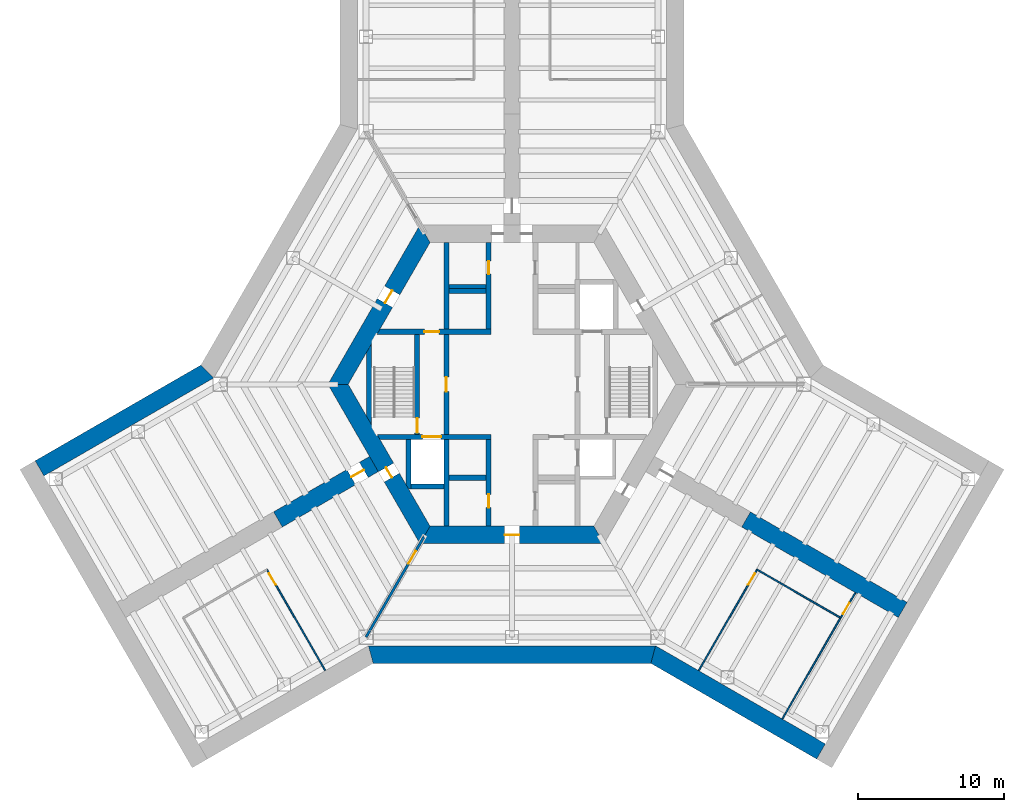
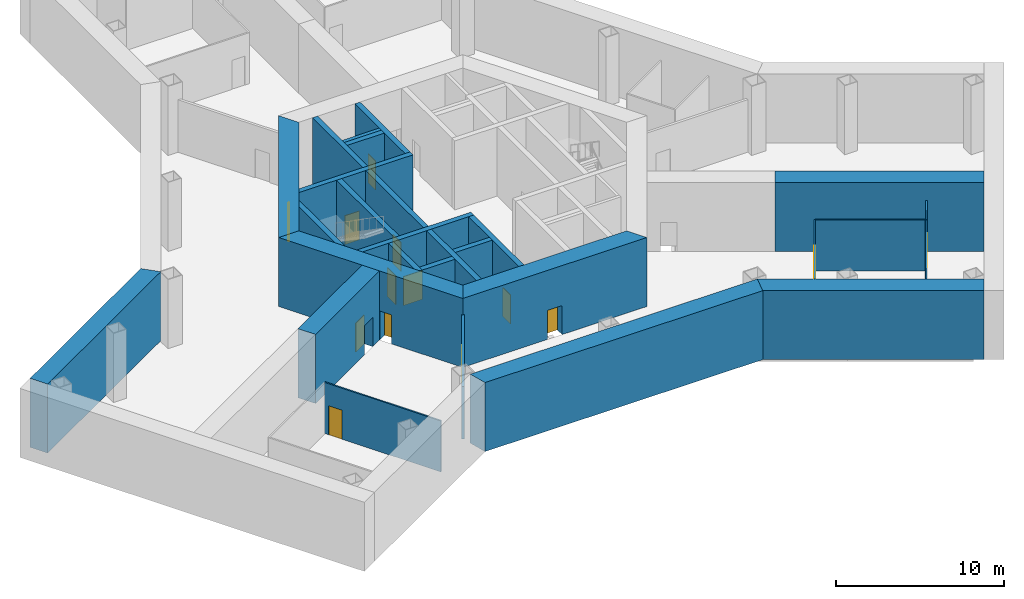
# One storey, part 4 of 7: 28 walls, 14 doors, 14 openings.
"""IFC4 building model written with IfcOpenShell, lengths in metres."""

from ifc_helpers import new_model, si_unit, direction, frame, frame_2d, origin, place, context, subcontext, project, spatial, polyline, rectangle, outline, extrude, material, layer, layer_set, type_object, element, fill, save


model = new_model("IFC4")

# Units and contexts
model_context = context("Model", 3, precision=1e-05, world=origin(), true_north=direction((0.0, 1.0)))
body_context = subcontext(model_context, "Body", "Model", "MODEL_VIEW")
ifc_project = project(units=[si_unit("LENGTHUNIT", "METRE"), si_unit("AREAUNIT", "SQUARE_METRE"), si_unit("VOLUMEUNIT", "CUBIC_METRE"), si_unit("PLANEANGLEUNIT", "RADIAN"), si_unit("MASSUNIT", "GRAM", prefix="KILO")], contexts=[model_context])

# Site, building, storey
site_placement = place(None, origin())
site = spatial("IfcSite", under=ifc_project, at=site_placement, CompositionType="ELEMENT")
building_placement = place(site_placement, origin())
building = spatial("IfcBuilding", under=site, at=building_placement, Name="Kasaneha Research Tower", CompositionType="ELEMENT")
storey_placement = place(building_placement, frame((0.0, 0.0, -5.0)))
storey = spatial("IfcBuildingStorey", under=building, at=storey_placement, Name="B1", CompositionType="ELEMENT", Elevation=-5.0)

# Walls
ifc_material_1 = material(Name="Concrete Fc60", Category="concrete")
ifc_layer_1 = layer(ifc_material_1, 1.199951171875)
ifc_layer_set_1 = layer_set([ifc_layer_1], Name="Basement retaining wall 1200 Fc60")
wall_type_1 = type_object("IfcWallType", Name="Basement retaining wall 1200 Fc60", PredefinedType="SOLIDWALL", material=ifc_layer_set_1)
for number, where, z_axis, x_axis, name in (
    (1, (-32.3779296875, -5.7607421875, 0.0), (0.0, 0.0, 1.0), (0.866028209229, 0.499995140796, 0.0), "Retaining wall 1 B1"),
    (2, (21.177978515625, -25.15966796875, 0.0), (0.0, 0.0, 1.0), (-0.866028209229, 0.499995140796, 0.0), "Retaining wall 9 B1"),
):
    element("IfcWall", number, at=place(storey_placement, frame(where, z_axis=z_axis, x_axis=x_axis)), inside=storey, type_object=wall_type_1, Name=name, PredefinedType="SOLIDWALL", context=body_context, shape_type="SweptSolid", body=[
        extrude(outline(polyline([(0.0, -0.60009765625), (13.439453125, -0.60009765625), (13.11767578125, 0.60009765625), (0.0, 0.60009765625), (0.0, -0.60009765625)])), origin(), (0.0, 0.0, 1.0), 5.0),
    ])
wall_1_placement = place(storey_placement, frame((9.678466796875, -18.5205078125, 0.0), z_axis=(0.0, 0.0, 1.0), x_axis=(-1.0, 0.0, 0.0)))
element("IfcWall", 3, at=wall_1_placement, inside=storey, type_object=wall_type_1, Name="Retaining wall 10 B1", PredefinedType="SOLIDWALL", context=body_context, shape_type="SweptSolid", body=[
    extrude(outline(polyline([(-0.160888671875, -0.60009765625), (19.517822265625, -0.60009765625), (19.196044921875, 0.60009765625), (0.160888671875, 0.60009765625), (-0.160888671875, -0.60009765625)])), origin(), (0.0, 0.0, 1.0), 5.0),
])

# Wall, opening, door
ifc_material_2 = material(Name="Concrete Fc100", Category="concrete")
ifc_layer_2 = layer(ifc_material_2, 0.35009765625)
ifc_layer_set_2 = layer_set([ifc_layer_2], Name="Core internal wall 350 Fc100")
wall_type_2 = type_object("IfcWallType", Name="Core internal wall 350 Fc100", PredefinedType="SHEAR", material=ifc_layer_set_2)
wall_2_placement = place(storey_placement, frame((-9.151123046875, 3.60009765625, 0.0), z_axis=(0.0, 0.0, 1.0), x_axis=(1.0, 0.0, 0.0)))
wall_2 = element("IfcWall", 4, at=wall_2_placement, inside=storey, type_object=wall_type_2, Name="Core wall W1W B1", PredefinedType="SHEAR", context=body_context, shape_type="SweptSolid", body=[
    extrude(outline(polyline([(-0.10107421875, -0.175048828125), (3.151123046875, -0.175048828125), (4.151123046875, -0.175048828125), (7.72607421875, -0.175048828125), (7.72607421875, 0.175048828125), (4.151123046875, 0.175048828125), (3.151123046875, 0.175048828125), (0.10107421875, 0.175048828125), (-0.10107421875, -0.175048828125)])), origin(), (0.0, 0.0, 1.0), 5.0),
])
opening_1_placement = place(wall_2_placement, frame((3.151123046875, 0.0, 0.0)))
opening_1 = element("IfcOpeningElement", 5, at=opening_1_placement, cuts=wall_2, Name="Opening B1-D12", PredefinedType="OPENING", context=body_context, shape_type="SweptSolid", body=[
    extrude(rectangle(XDim=1.0, YDim=2.10009765625, at=frame_2d((0.5, 1.050048828125))), frame((0.0, 0.18505859375, 0.0), z_axis=(0.0, -1.0, 0.0), x_axis=(1.0, 0.0, 0.0)), (0.0, 0.0, 1.0), 0.3701171875),
])
ifc_material_3 = material(Name="Steel", Category="steel")
door_type_1 = type_object("IfcDoorType", Name="Specified fire door FD60 1000x2100", OperationType="NOTDEFINED", PredefinedType="DOOR", material=ifc_material_3)
door_1_placement = place(opening_1_placement, origin())
door_1 = element("IfcDoor", 6, at=door_1_placement, inside=storey, type_object=door_type_1, Name="Vestibule to lobby door B1-D12", OperationType="SINGLE_SWING_LEFT", OverallHeight=2.10009765625, OverallWidth=1.0, PredefinedType="DOOR", context=body_context, shape_type="SweptSolid", body=[
    extrude(rectangle(XDim=1.0, YDim=2.10009765625, at=frame_2d((0.5, 1.050048828125))), frame((0.0, 0.02490234375, 0.0), z_axis=(0.0, -1.0, 0.0), x_axis=(1.0, 0.0, 0.0)), (0.0, 0.0, 1.0), 0.050048828125),
])
fill(opening_1, door_1)

wall_3_placement = place(storey_placement, frame((-9.151123046875, -3.60009765625, 0.0), z_axis=(0.0, 0.0, 1.0), x_axis=(1.0, 0.0, 0.0)))
wall_3 = element("IfcWall", 7, at=wall_3_placement, inside=storey, type_object=wall_type_2, Name="Core wall W2W B1", PredefinedType="SHEAR", context=body_context, shape_type="SweptSolid", body=[
    extrude(outline(polyline([(0.10107421875, -0.175048828125), (3.0009765625, -0.175048828125), (4.301025390625, -0.175048828125), (7.72607421875, -0.175048828125), (7.72607421875, 0.175048828125), (4.301025390625, 0.175048828125), (3.0009765625, 0.175048828125), (-0.10107421875, 0.175048828125), (0.10107421875, -0.175048828125)])), origin(), (0.0, 0.0, 1.0), 5.0),
])
opening_2_placement = place(wall_3_placement, frame((3.0009765625, 0.0, 0.0)))
opening_2 = element("IfcOpeningElement", 8, at=opening_2_placement, cuts=wall_3, Name="Opening LD-FL2-B1", PredefinedType="OPENING", context=body_context, shape_type="SweptSolid", body=[
    extrude(rectangle(XDim=1.300048828125, YDim=2.10009765625, at=frame_2d((0.64990234375, 1.050048828125))), frame((0.0, 0.18505859375, 0.0), z_axis=(0.0, -1.0, 0.0), x_axis=(1.0, 0.0, 0.0)), (0.0, 0.0, 1.0), 0.3701171875),
])
ifc_material_4 = material(Name="Steel", Category="steel")
door_type_2 = type_object("IfcDoorType", Name="Lift landing door 1300x2100", OperationType="DOUBLE_DOOR_SLIDING", PredefinedType="DOOR", material=ifc_material_4)
door_2_placement = place(opening_2_placement, origin())
door_2 = element("IfcDoor", 9, at=door_2_placement, inside=storey, type_object=door_type_2, Name="Landing door FL2 LD-FL2-B1", OperationType="DOUBLE_DOOR_SLIDING", OverallHeight=2.10009765625, OverallWidth=1.300048828125, PredefinedType="DOOR", context=body_context, shape_type="SweptSolid", body=[
    extrude(rectangle(XDim=1.300048828125, YDim=2.10009765625, at=frame_2d((0.64990234375, 1.050048828125))), frame((0.0, 0.02490234375, 0.0), z_axis=(0.0, -1.0, 0.0), x_axis=(1.0, 0.0, 0.0)), (0.0, 0.0, 1.0), 0.050048828125),
])
fill(opening_2, door_2)

wall_4_placement = place(storey_placement, frame((-1.60009765625, 3.77490234375, 0.0), z_axis=(0.0, 0.0, 1.0), x_axis=(0.0, 1.0, 0.0)))
wall_4 = element("IfcWall", 10, at=wall_4_placement, inside=storey, type_object=wall_type_2, Name="Core wall CNW B1", PredefinedType="SHEAR", context=body_context, shape_type="SweptSolid", body=[
    extrude(rectangle(XDim=5.9501953125, YDim=0.35009765625, at=frame_2d((2.97509765625, 0.0))), origin(), (0.0, 0.0, 1.0), 5.0),
])
opening_3_placement = place(wall_4_placement, frame((3.77490234375, 0.0, 0.0)))
opening_3 = element("IfcOpeningElement", 11, at=opening_3_placement, cuts=wall_4, Name="Opening B1-D13", PredefinedType="OPENING", context=body_context, shape_type="SweptSolid", body=[
    extrude(rectangle(XDim=0.89990234375, YDim=2.10009765625, at=frame_2d((0.449951171875, 1.050048828125))), frame((0.0, 0.18505859375, 0.0), z_axis=(0.0, -1.0, 0.0), x_axis=(1.0, 0.0, 0.0)), (0.0, 0.0, 1.0), 0.3701171875),
])
ifc_material_5 = material(Name="Steel", Category="steel")
door_type_3 = type_object("IfcDoorType", Name="Toilet door FD20 900x2100", OperationType="NOTDEFINED", PredefinedType="DOOR", material=ifc_material_5)
door_3_placement = place(opening_3_placement, origin())
door_3 = element("IfcDoor", 12, at=door_3_placement, inside=storey, type_object=door_type_3, Name="Men's WC door B1-D13", OperationType="SINGLE_SWING_LEFT", OverallHeight=2.10009765625, OverallWidth=0.89990234375, PredefinedType="DOOR", context=body_context, shape_type="SweptSolid", body=[
    extrude(rectangle(XDim=0.89990234375, YDim=2.10009765625, at=frame_2d((0.449951171875, 1.050048828125))), frame((0.0, 0.02490234375, 0.0), z_axis=(0.0, -1.0, 0.0), x_axis=(1.0, 0.0, 0.0)), (0.0, 0.0, 1.0), 0.050048828125),
])
fill(opening_3, door_3)

wall_5_placement = place(storey_placement, frame((-1.60009765625, -3.77490234375, 0.0), z_axis=(0.0, 0.0, 1.0), x_axis=(0.0, -1.0, 0.0)))
wall_5 = element("IfcWall", 13, at=wall_5_placement, inside=storey, type_object=wall_type_2, Name="Core wall CSW B1", PredefinedType="SHEAR", context=body_context, shape_type="SweptSolid", body=[
    extrude(rectangle(XDim=5.9501953125, YDim=0.35009765625, at=frame_2d((2.97509765625, 0.0))), origin(), (0.0, 0.0, 1.0), 5.0),
])
opening_4_placement = place(wall_5_placement, frame((3.77490234375, 0.0, 0.0)))
opening_4 = element("IfcOpeningElement", 14, at=opening_4_placement, cuts=wall_5, Name="Opening B1-D16", PredefinedType="OPENING", context=body_context, shape_type="SweptSolid", body=[
    extrude(rectangle(XDim=0.89990234375, YDim=2.10009765625, at=frame_2d((0.449951171875, 1.050048828125))), frame((0.0, 0.18505859375, 0.0), z_axis=(0.0, -1.0, 0.0), x_axis=(1.0, 0.0, 0.0)), (0.0, 0.0, 1.0), 0.3701171875),
])
ifc_material_6 = material(Name="Steel", Category="steel")
door_type_4 = type_object("IfcDoorType", Name="Riser access door FD60 900x2100", OperationType="NOTDEFINED", PredefinedType="DOOR", material=ifc_material_6)
door_4_placement = place(opening_4_placement, origin())
door_4 = element("IfcDoor", 15, at=door_4_placement, inside=storey, type_object=door_type_4, Name="Electrical riser door B1-D16", OperationType="SINGLE_SWING_LEFT", OverallHeight=2.10009765625, OverallWidth=0.89990234375, PredefinedType="DOOR", context=body_context, shape_type="SweptSolid", body=[
    extrude(rectangle(XDim=0.89990234375, YDim=2.10009765625, at=frame_2d((0.449951171875, 1.050048828125))), frame((0.0, 0.02490234375, 0.0), z_axis=(0.0, -1.0, 0.0), x_axis=(1.0, 0.0, 0.0)), (0.0, 0.0, 1.0), 0.050048828125),
])
fill(opening_4, door_4)

wall_6_placement = place(storey_placement, frame((-4.5, -3.425048828125, 0.0), z_axis=(0.0, 0.0, 1.0), x_axis=(0.0, 1.0, 0.0)))
wall_6 = element("IfcWall", 16, at=wall_6_placement, inside=storey, type_object=wall_type_2, Name="Core wall LBW B1", PredefinedType="SHEAR", context=body_context, shape_type="SweptSolid", body=[
    extrude(rectangle(XDim=6.85009765625, YDim=0.35009765625, at=frame_2d((3.425048828125, 0.0))), origin(), (0.0, 0.0, 1.0), 5.0),
])
opening_5_placement = place(wall_6_placement, frame((2.925048828125, 0.0, 0.0)))
opening_5 = element("IfcOpeningElement", 17, at=opening_5_placement, cuts=wall_6, Name="Opening B1-D09", PredefinedType="OPENING", context=body_context, shape_type="SweptSolid", body=[
    extrude(rectangle(XDim=1.0, YDim=2.10009765625, at=frame_2d((0.5, 1.050048828125))), frame((0.0, 0.18505859375, 0.0), z_axis=(0.0, -1.0, 0.0), x_axis=(1.0, 0.0, 0.0)), (0.0, 0.0, 1.0), 0.3701171875),
])
door_5_placement = place(opening_5_placement, origin())
door_5 = element("IfcDoor", 18, at=door_5_placement, inside=storey, type_object=door_type_1, Name="Lift lobby door west B1-D09", OperationType="SINGLE_SWING_LEFT", OverallHeight=2.10009765625, OverallWidth=1.0, PredefinedType="DOOR", context=body_context, shape_type="SweptSolid", body=[
    extrude(rectangle(XDim=1.0, YDim=2.10009765625, at=frame_2d((0.5, 1.050048828125))), frame((0.0, 0.02490234375, 0.0), z_axis=(0.0, -1.0, 0.0), x_axis=(1.0, 0.0, 0.0)), (0.0, 0.0, 1.0), 0.050048828125),
])
fill(opening_5, door_5)

wall_7_placement = place(storey_placement, frame((-6.5, -3.425048828125, 0.0), z_axis=(0.0, 0.0, 1.0), x_axis=(0.0, 1.0, 0.0)))
wall_7 = element("IfcWall", 19, at=wall_7_placement, inside=storey, type_object=wall_type_2, Name="Core wall ANW B1", PredefinedType="SHEAR", context=body_context, shape_type="SweptSolid", body=[
    extrude(rectangle(XDim=6.85009765625, YDim=0.35009765625, at=frame_2d((3.425048828125, 0.0))), origin(), (0.0, 0.0, 1.0), 5.0),
])
opening_6_placement = place(wall_7_placement, frame((0.10009765625, 0.0, 0.0)))
opening_6 = element("IfcOpeningElement", 20, at=opening_6_placement, cuts=wall_7, Name="Opening B1-D11", PredefinedType="OPENING", context=body_context, shape_type="SweptSolid", body=[
    extrude(rectangle(XDim=1.0, YDim=2.10009765625, at=frame_2d((0.5, 1.050048828125))), frame((0.0, 0.18505859375, 0.0), z_axis=(0.0, -1.0, 0.0), x_axis=(1.0, 0.0, 0.0)), (0.0, 0.0, 1.0), 0.3701171875),
])
door_6_placement = place(opening_6_placement, origin())
door_6 = element("IfcDoor", 21, at=door_6_placement, inside=storey, type_object=door_type_1, Name="Stair 2 door B1-D11", OperationType="SINGLE_SWING_LEFT", OverallHeight=2.10009765625, OverallWidth=1.0, PredefinedType="DOOR", context=body_context, shape_type="SweptSolid", body=[
    extrude(rectangle(XDim=1.0, YDim=2.10009765625, at=frame_2d((0.5, 1.050048828125))), frame((0.0, 0.02490234375, 0.0), z_axis=(0.0, -1.0, 0.0), x_axis=(1.0, 0.0, 0.0)), (0.0, 0.0, 1.0), 0.050048828125),
])
fill(opening_6, door_6)

# Walls
for number, where, z_axis, x_axis, name in (
    (22, (-4.5, 3.77490234375, 0.0), (0.0, 0.0, 1.0), (0.0, 1.0, 0.0), "Core wall VNW B1"),
    (23, (-4.5, -3.77490234375, 0.0), (0.0, 0.0, 1.0), (0.0, -1.0, 0.0), "Core wall SSW B1"),
):
    element("IfcWall", number, at=place(storey_placement, frame(where, z_axis=z_axis, x_axis=x_axis)), inside=storey, type_object=wall_type_2, Name=name, PredefinedType="SHEAR", context=body_context, shape_type="SweptSolid", body=[
        extrude(rectangle(XDim=5.9501953125, YDim=0.35009765625, at=frame_2d((2.97509765625, 0.0))), origin(), (0.0, 0.0, 1.0), 5.0),
    ])
for number, where, z_axis, x_axis, name in (
    (24, (-4.324951171875, 6.39990234375, 0.0), (0.0, 0.0, 1.0), (1.0, 0.0, 0.0), "Core wall N1N B1"),
    (25, (-4.324951171875, -6.39990234375, 0.0), (0.0, 0.0, 1.0), (1.0, 0.0, 0.0), "Core wall S1S B1"),
):
    element("IfcWall", number, at=place(storey_placement, frame(where, z_axis=z_axis, x_axis=x_axis)), inside=storey, type_object=wall_type_2, Name=name, PredefinedType="SHEAR", context=body_context, shape_type="SweptSolid", body=[
        extrude(rectangle(XDim=2.550048828125, YDim=0.35009765625, at=frame_2d((1.27490234375, 0.0))), origin(), (0.0, 0.0, 1.0), 5.0),
    ])
wall_8_placement = place(storey_placement, frame((-6.925048828125, -7.0, 0.0), z_axis=(0.0, 0.0, 1.0), x_axis=(1.0, 0.0, 0.0)))
element("IfcWall", 26, at=wall_8_placement, inside=storey, type_object=wall_type_2, Name="Core wall F2S B1", PredefinedType="SHEAR", context=body_context, shape_type="SweptSolid", body=[
    extrude(rectangle(XDim=2.25, YDim=0.35009765625, at=frame_2d((1.125, 0.0))), origin(), (0.0, 0.0, 1.0), 5.0),
])
wall_9_placement = place(storey_placement, frame((-7.10009765625, -3.77490234375, 0.0), z_axis=(0.0, 0.0, 1.0), x_axis=(0.0, -1.0, 0.0)))
element("IfcWall", 27, at=wall_9_placement, inside=storey, type_object=wall_type_2, Name="Core wall F2W B1", PredefinedType="SHEAR", context=body_context, shape_type="SweptSolid", body=[
    extrude(outline(polyline([(0.0, -0.175048828125), (3.07421875, -0.175048828125), (3.37744140625, 0.0), (3.39990234375, 0.175048828125), (0.0, 0.175048828125), (0.0, -0.175048828125)])), origin(), (0.0, 0.0, 1.0), 5.0),
])
wall_10_placement = place(storey_placement, frame((-9.807861328125, -2.462158203125, 0.0), z_axis=(0.0, 0.0, 1.0), x_axis=(0.0, 1.0, 0.0)))
element("IfcWall", 28, at=wall_10_placement, inside=storey, type_object=wall_type_2, Name="Core wall STW B1", PredefinedType="SHEAR", context=body_context, shape_type="SweptSolid", body=[
    extrude(outline(polyline([(-0.30322265625, -0.175048828125), (5.2275390625, -0.175048828125), (4.62109375, 0.175048828125), (0.30322265625, 0.175048828125), (-0.30322265625, -0.175048828125)])), origin(), (0.0, 0.0, 1.0), 5.0),
])

# Wall, opening, door
ifc_material_7 = material(Name="Concrete Fc100", Category="concrete")
ifc_layer_3 = layer(ifc_material_7, 1.199951171875)
ifc_layer_set_3 = layer_set([ifc_layer_3], Name="Core wall 1200 Fc100")
wall_type_3 = type_object("IfcWallType", Name="Core wall 1200 Fc100", PredefinedType="SHEAR", material=ifc_layer_set_3)
wall_11_placement = place(storey_placement, frame((-5.961181640625, 10.324951171875, 0.0), z_axis=(0.0, 0.0, 1.0), x_axis=(-0.500004296715, -0.866022923061, 0.0)))
wall_11 = element("IfcWall", 29, at=wall_11_placement, inside=storey, type_object=wall_type_3, Name="Core wall 150 B1", PredefinedType="SHEAR", context=body_context, shape_type="SweptSolid", body=[
    extrude(outline(polyline([(-0.346435546875, -0.60009765625), (4.494140625, -0.60009765625), (5.494140625, -0.60009765625), (12.268798828125, -0.60009765625), (11.575927734375, 0.60009765625), (5.494140625, 0.60009765625), (4.494140625, 0.60009765625), (0.346435546875, 0.60009765625), (-0.346435546875, -0.60009765625)])), origin(), (0.0, 0.0, 1.0), 5.0),
])
opening_7_placement = place(wall_11_placement, frame((4.494140625, 0.0, 0.0)))
opening_7 = element("IfcOpeningElement", 30, at=opening_7_placement, cuts=wall_11, Name="Opening B1-D07", PredefinedType="OPENING", context=body_context, shape_type="SweptSolid", body=[
    extrude(rectangle(XDim=1.0, YDim=2.10009765625, at=frame_2d((0.5, 1.050048828125))), frame((0.0, 0.60986328125, 0.0), z_axis=(0.0, -1.0, 0.0), x_axis=(1.0, 0.0, 0.0)), (0.0, 0.0, 1.0), 1.219970703125),
])
ifc_material_8 = material(Name="Steel", Category="steel")
door_type_5 = type_object("IfcDoorType", Name="Fire door FD20 1000x2100", OperationType="NOTDEFINED", PredefinedType="DOOR", material=ifc_material_8)
door_7_placement = place(opening_7_placement, origin())
door_7 = element("IfcDoor", 31, at=door_7_placement, inside=storey, type_object=door_type_5, Name="Vestibule door B1-D07", OperationType="SINGLE_SWING_LEFT", OverallHeight=2.10009765625, OverallWidth=1.0, PredefinedType="DOOR", context=body_context, shape_type="SweptSolid", body=[
    extrude(rectangle(XDim=1.0, YDim=2.10009765625, at=frame_2d((0.5, 1.050048828125))), frame((0.0, 0.02490234375, 0.0), z_axis=(0.0, -1.0, 0.0), x_axis=(1.0, 0.0, 0.0)), (0.0, 0.0, 1.0), 0.050048828125),
])
fill(opening_7, door_7)

wall_12_placement = place(storey_placement, frame((-11.92236328125, 0.0, 0.0), z_axis=(0.0, 0.0, 1.0), x_axis=(0.500004296715, -0.866022923061, 0.0)))
wall_12 = element("IfcWall", 32, at=wall_12_placement, inside=storey, type_object=wall_type_3, Name="Core wall 210 B1", PredefinedType="SHEAR", context=body_context, shape_type="SweptSolid", body=[
    extrude(outline(polyline([(-0.346435546875, -0.60009765625), (6.5810546875, -0.60009765625), (7.381103515625, -0.60009765625), (12.268798828125, -0.60009765625), (11.575927734375, 0.60009765625), (7.381103515625, 0.60009765625), (6.5810546875, 0.60009765625), (0.346435546875, 0.60009765625), (-0.346435546875, -0.60009765625)])), origin(), (0.0, 0.0, 1.0), 5.0),
])
opening_8_placement = place(wall_12_placement, frame((6.5810546875, 0.0, 0.0)))
opening_8 = element("IfcOpeningElement", 33, at=opening_8_placement, cuts=wall_12, Name="Opening B1-D06", PredefinedType="OPENING", context=body_context, shape_type="SweptSolid", body=[
    extrude(rectangle(XDim=0.800048828125, YDim=2.10009765625, at=frame_2d((0.39990234375, 1.050048828125))), frame((0.0, 0.60986328125, 0.0), z_axis=(0.0, -1.0, 0.0), x_axis=(1.0, 0.0, 0.0)), (0.0, 0.0, 1.0), 1.219970703125),
])
ifc_material_9 = material(Name="Steel", Category="steel")
door_type_6 = type_object("IfcDoorType", Name="Riser access door FD60 800x2100", OperationType="NOTDEFINED", PredefinedType="DOOR", material=ifc_material_9)
door_8_placement = place(opening_8_placement, origin())
door_8 = element("IfcDoor", 34, at=door_8_placement, inside=storey, type_object=door_type_6, Name="Duct riser door B1-D06", OperationType="SINGLE_SWING_RIGHT", OverallHeight=2.10009765625, OverallWidth=0.800048828125, PredefinedType="DOOR", context=body_context, shape_type="SweptSolid", body=[
    extrude(rectangle(XDim=0.800048828125, YDim=2.10009765625, at=frame_2d((0.39990234375, 1.050048828125))), frame((0.0, 0.02490234375, 0.0), z_axis=(0.0, -1.0, 0.0), x_axis=(1.0, 0.0, 0.0)), (0.0, 0.0, 1.0), 0.050048828125),
])
fill(opening_8, door_8)

wall_13_placement = place(storey_placement, frame((-5.961181640625, -10.324951171875, 0.0), z_axis=(0.0, 0.0, 1.0), x_axis=(1.0, 0.0, 0.0)))
wall_13 = element("IfcWall", 35, at=wall_13_placement, inside=storey, type_object=wall_type_3, Name="Core wall 270 B1", PredefinedType="SHEAR", context=body_context, shape_type="SweptSolid", body=[
    extrude(outline(polyline([(-0.346435546875, -0.60009765625), (5.461181640625, -0.60009765625), (6.461181640625, -0.60009765625), (12.268798828125, -0.60009765625), (11.575927734375, 0.60009765625), (6.461181640625, 0.60009765625), (5.461181640625, 0.60009765625), (0.346435546875, 0.60009765625), (-0.346435546875, -0.60009765625)])), origin(), (0.0, 0.0, 1.0), 5.0),
])
opening_9_placement = place(wall_13_placement, frame((5.461181640625, 0.0, 0.0)))
opening_9 = element("IfcOpeningElement", 36, at=opening_9_placement, cuts=wall_13, Name="Opening B1-D03", PredefinedType="OPENING", context=body_context, shape_type="SweptSolid", body=[
    extrude(rectangle(XDim=1.0, YDim=2.10009765625, at=frame_2d((0.5, 1.050048828125))), frame((0.0, 0.60986328125, 0.0), z_axis=(0.0, -1.0, 0.0), x_axis=(1.0, 0.0, 0.0)), (0.0, 0.0, 1.0), 1.219970703125),
])
door_9_placement = place(opening_9_placement, origin())
door_9 = element("IfcDoor", 37, at=door_9_placement, inside=storey, type_object=door_type_5, Name="Core door south B1-D03", OperationType="SINGLE_SWING_LEFT", OverallHeight=2.10009765625, OverallWidth=1.0, PredefinedType="DOOR", context=body_context, shape_type="SweptSolid", body=[
    extrude(rectangle(XDim=1.0, YDim=2.10009765625, at=frame_2d((0.5, 1.050048828125))), frame((0.0, 0.02490234375, 0.0), z_axis=(0.0, -1.0, 0.0), x_axis=(1.0, 0.0, 0.0)), (0.0, 0.0, 1.0), 0.050048828125),
])
fill(opening_9, door_9)

ifc_material_10 = material(Name="Gypsum board on steel studs, one layer each side", Category="steel")
ifc_layer_4 = layer(ifc_material_10, 0.10009765625)
ifc_layer_set_4 = layer_set([ifc_layer_4], Name="Office partition 100")
wall_type_4 = type_object("IfcWallType", Name="Office partition 100", PredefinedType="PARTITIONING", material=ifc_layer_set_4)
wall_14_placement = place(storey_placement, frame((-16.792236328125, -12.697265625, 0.0), z_axis=(0.0, 0.0, 1.0), x_axis=(0.499998759335, -0.866026120082, 0.0)))
wall_14 = element("IfcWall", 38, at=wall_14_placement, inside=storey, type_object=wall_type_4, Name="Office partition FBS03 B1", PredefinedType="PARTITIONING", context=body_context, shape_type="SweptSolid", body=[
    extrude(rectangle(XDim=7.97998046875, YDim=0.10009765625, at=frame_2d((3.989990234375, 0.0))), origin(), (0.0, 0.0, 1.0), 3.699951171875),
])
opening_10_placement = place(wall_14_placement, frame((0.300048828125, 0.0, 0.0)))
opening_10 = element("IfcOpeningElement", 39, at=opening_10_placement, cuts=wall_14, Name="Opening B1-D27", PredefinedType="OPENING", context=body_context, shape_type="SweptSolid", body=[
    extrude(rectangle(XDim=0.89990234375, YDim=2.10009765625, at=frame_2d((0.449951171875, 1.050048828125))), frame((0.0, 0.06005859375, 0.0), z_axis=(0.0, -1.0, 0.0), x_axis=(1.0, 0.0, 0.0)), (0.0, 0.0, 1.0), 0.1201171875),
])
ifc_material_11 = material(Name="Timber veneer", Category="wood")
door_type_7 = type_object("IfcDoorType", Name="Office door 900x2100", OperationType="SINGLE_SWING_LEFT", PredefinedType="DOOR", material=ifc_material_11)
door_10_placement = place(opening_10_placement, origin())
door_10 = element("IfcDoor", 40, at=door_10_placement, inside=storey, type_object=door_type_7, Name="Archive store door B1-D27", OperationType="SINGLE_SWING_LEFT", OverallHeight=2.10009765625, OverallWidth=0.89990234375, PredefinedType="DOOR", context=body_context, shape_type="SweptSolid", body=[
    extrude(rectangle(XDim=0.89990234375, YDim=2.10009765625, at=frame_2d((0.449951171875, 1.050048828125))), frame((0.0, 0.02490234375, 0.0), z_axis=(0.0, -1.0, 0.0), x_axis=(1.0, 0.0, 0.0)), (0.0, 0.0, 1.0), 0.050048828125),
])
fill(opening_10, door_10)

# Wall
wall_15_placement = place(storey_placement, frame((22.520263671875, -16.00439453125, 0.0), z_axis=(0.0, 0.0, 1.0), x_axis=(-0.499396497017, -0.866373556133, 0.0)))
element("IfcWall", 41, at=wall_15_placement, inside=storey, type_object=wall_type_4, Name="Office partition FCS01 B1", PredefinedType="PARTITIONING", context=body_context, shape_type="SweptSolid", body=[
    extrude(rectangle(XDim=7.998046875, YDim=0.10009765625, at=frame_2d((3.9990234375, 0.0))), origin(), (0.0, 0.0, 1.0), 3.699951171875),
])

# Wall, opening, door
wall_16_placement = place(storey_placement, frame((12.80224609375, -19.608154296875, 0.0), z_axis=(0.0, 0.0, 1.0), x_axis=(0.499998759335, 0.866026120082, 0.0)))
wall_16 = element("IfcWall", 42, at=wall_16_placement, inside=storey, type_object=wall_type_4, Name="Office partition FCS02 B1", PredefinedType="PARTITIONING", context=body_context, shape_type="SweptSolid", body=[
    extrude(rectangle(XDim=7.97998046875, YDim=0.10009765625, at=frame_2d((3.989990234375, 0.0))), origin(), (0.0, 0.0, 1.0), 3.699951171875),
])
opening_11_placement = place(wall_16_placement, frame((6.780029296875, 0.0, 0.0)))
opening_11 = element("IfcOpeningElement", 43, at=opening_11_placement, cuts=wall_16, Name="Opening B1-D28", PredefinedType="OPENING", context=body_context, shape_type="SweptSolid", body=[
    extrude(rectangle(XDim=0.89990234375, YDim=2.10009765625, at=frame_2d((0.449951171875, 1.050048828125))), frame((0.0, 0.06005859375, 0.0), z_axis=(0.0, -1.0, 0.0), x_axis=(1.0, 0.0, 0.0)), (0.0, 0.0, 1.0), 0.1201171875),
])
door_11_placement = place(opening_11_placement, origin())
door_11 = element("IfcDoor", 44, at=door_11_placement, inside=storey, type_object=door_type_7, Name="Electrical room door B1-D28", OperationType="SINGLE_SWING_RIGHT", OverallHeight=2.10009765625, OverallWidth=0.89990234375, PredefinedType="DOOR", context=body_context, shape_type="SweptSolid", body=[
    extrude(rectangle(XDim=0.89990234375, YDim=2.10009765625, at=frame_2d((0.449951171875, 1.050048828125))), frame((0.0, 0.02490234375, 0.0), z_axis=(0.0, -1.0, 0.0), x_axis=(1.0, 0.0, 0.0)), (0.0, 0.0, 1.0), 0.050048828125),
])
fill(opening_11, door_11)

# Wall
wall_17_placement = place(storey_placement, frame((16.792236328125, -12.697265625, 0.0), z_axis=(0.0, 0.0, 1.0), x_axis=(0.865724093718, -0.500521521571, 0.0)))
element("IfcWall", 45, at=wall_17_placement, inside=storey, type_object=wall_type_4, Name="Office partition FCS03 B1", PredefinedType="PARTITIONING", context=body_context, shape_type="SweptSolid", body=[
    extrude(rectangle(XDim=6.61962890625, YDim=0.10009765625, at=frame_2d((3.309814453125, 0.0))), origin(), (0.0, 0.0, 1.0), 3.699951171875),
])

# Wall, opening, door
wall_18_placement = place(storey_placement, frame((22.5224609375, -16.01025390625, 0.0), z_axis=(0.0, 0.0, 1.0), x_axis=(0.504490591108, 0.863417189708, 0.0)))
wall_18 = element("IfcWall", 46, at=wall_18_placement, inside=storey, type_object=wall_type_4, Name="Office partition FCS04 B1", PredefinedType="PARTITIONING", context=body_context, shape_type="SweptSolid", body=[
    extrude(rectangle(XDim=1.984130859375, YDim=0.10009765625, at=frame_2d((0.9921875, 0.0))), origin(), (0.0, 0.0, 1.0), 3.699951171875),
])
opening_12_placement = place(wall_18_placement, frame((0.300048828125, 0.0, 0.0)))
opening_12 = element("IfcOpeningElement", 47, at=opening_12_placement, cuts=wall_18, Name="Opening B1-D29", PredefinedType="OPENING", context=body_context, shape_type="SweptSolid", body=[
    extrude(rectangle(XDim=0.89990234375, YDim=2.10009765625, at=frame_2d((0.449951171875, 1.050048828125))), frame((0.0, 0.06005859375, 0.0), z_axis=(0.0, -1.0, 0.0), x_axis=(1.0, 0.0, 0.0)), (0.0, 0.0, 1.0), 0.1201171875),
])
door_12_placement = place(opening_12_placement, origin())
door_12 = element("IfcDoor", 48, at=door_12_placement, inside=storey, type_object=door_type_7, Name="Security control room door B1-D29", OperationType="SINGLE_SWING_LEFT", OverallHeight=2.10009765625, OverallWidth=0.89990234375, PredefinedType="DOOR", context=body_context, shape_type="SweptSolid", body=[
    extrude(rectangle(XDim=0.89990234375, YDim=2.10009765625, at=frame_2d((0.449951171875, 1.050048828125))), frame((0.0, 0.02490234375, 0.0), z_axis=(0.0, -1.0, 0.0), x_axis=(1.0, 0.0, 0.0)), (0.0, 0.0, 1.0), 0.050048828125),
])
fill(opening_12, door_12)

ifc_material_12 = material(Name="Concrete Fc100", Category="concrete")
ifc_layer_5 = layer(ifc_material_12, 1.199951171875)
ifc_layer_set_5 = layer_set([ifc_layer_5], Name="Spine wall 1200 Fc100")
wall_type_5 = type_object("IfcWallType", Name="Spine wall 1200 Fc100", PredefinedType="SHEAR", material=ifc_layer_set_5)
wall_19_placement = place(storey_placement, frame((-9.46142578125, -5.46240234375, 0.0), z_axis=(0.0, 0.0, 1.0), x_axis=(-0.866019116917, -0.500010889016, 0.0)))
wall_19 = element("IfcWall", 49, at=wall_19_placement, inside=storey, type_object=wall_type_5, Name="Spine wall B B1", PredefinedType="SHEAR", context=body_context, shape_type="SweptSolid", body=[
    extrude(rectangle(XDim=7.595458984375, YDim=1.199951171875, at=frame_2d((3.7978515625, 0.0))), origin(), (0.0, 0.0, 1.0), 5.0),
])
opening_13_placement = place(wall_19_placement, frame((0.800048828125, 0.0, 0.0)))
opening_13 = element("IfcOpeningElement", 50, at=opening_13_placement, cuts=wall_19, Name="Opening B1-D18", PredefinedType="OPENING", context=body_context, shape_type="SweptSolid", body=[
    extrude(rectangle(XDim=1.0, YDim=2.10009765625, at=frame_2d((0.5, 1.050048828125))), frame((0.0, 0.60986328125, 0.0), z_axis=(0.0, -1.0, 0.0), x_axis=(1.0, 0.0, 0.0)), (0.0, 0.0, 1.0), 1.219970703125),
])
door_13_placement = place(opening_13_placement, origin())
door_13 = element("IfcDoor", 51, at=door_13_placement, inside=storey, type_object=door_type_1, Name="Spine doorway B B1-D18", OperationType="SINGLE_SWING_LEFT", OverallHeight=2.10009765625, OverallWidth=1.0, PredefinedType="DOOR", context=body_context, shape_type="SweptSolid", body=[
    extrude(rectangle(XDim=1.0, YDim=2.10009765625, at=frame_2d((0.5, 1.050048828125))), frame((0.0, 0.02490234375, 0.0), z_axis=(0.0, -1.0, 0.0), x_axis=(1.0, 0.0, 0.0)), (0.0, 0.0, 1.0), 0.050048828125),
])
fill(opening_13, door_13)

# Wall
wall_20_placement = place(storey_placement, frame((16.039306640625, -9.26025390625, 0.0), z_axis=(0.0, 0.0, 1.0), x_axis=(0.866023285932, -0.50000366821, 0.0)))
element("IfcWall", 52, at=wall_20_placement, inside=storey, type_object=wall_type_5, Name="Spine wall C wing B1", PredefinedType="SHEAR", context=body_context, shape_type="SweptSolid", body=[
    extrude(rectangle(XDim=12.39990234375, YDim=1.199951171875, at=frame_2d((6.199951171875, 0.0))), origin(), (0.0, 0.0, 1.0), 5.0),
])

# Wall, opening, door
ifc_material_13 = material(Name="Gypsum board on steel studs, two layers each side", Category="steel")
ifc_layer_6 = layer(ifc_material_13, 0.175048828125)
ifc_layer_set_6 = layer_set([ifc_layer_6], Name="Tenancy fire partition 175")
wall_type_6 = type_object("IfcWallType", Name="Tenancy fire partition 175", PredefinedType="PARTITIONING", material=ifc_layer_set_6)
wall_21_placement = place(storey_placement, frame((-6.03515625, -10.453125, 0.0), z_axis=(0.0, 0.0, 1.0), x_axis=(-0.499993402427, -0.866029212861, 0.0)))
wall_21 = element("IfcWall", 53, at=wall_21_placement, inside=storey, type_object=wall_type_6, Name="Tenancy fire partition T240 B1", PredefinedType="PARTITIONING", context=body_context, shape_type="SweptSolid", body=[
    extrude(outline(polyline([(-0.050537109375, -0.08740234375), (1.12939453125, -0.08740234375), (2.12939453125, -0.08740234375), (7.9296875, -0.08740234375), (7.9296875, 0.08740234375), (2.12939453125, 0.08740234375), (1.12939453125, 0.08740234375), (0.050537109375, 0.08740234375), (-0.050537109375, -0.08740234375)])), origin(), (0.0, 0.0, 1.0), 3.800048828125),
])
opening_14_placement = place(wall_21_placement, frame((1.12939453125, 0.0, 0.0)))
opening_14 = element("IfcOpeningElement", 54, at=opening_14_placement, cuts=wall_21, Name="Opening B1-D22", PredefinedType="OPENING", context=body_context, shape_type="SweptSolid", body=[
    extrude(rectangle(XDim=1.0, YDim=2.10009765625, at=frame_2d((0.5, 1.050048828125))), frame((0.0, 0.09765625, 0.0), z_axis=(0.0, -1.0, 0.0), x_axis=(1.0, 0.0, 0.0)), (0.0, 0.0, 1.0), 0.195068359375),
])
ifc_material_14 = material(Name="Steel", Category="steel")
door_type_8 = type_object("IfcDoorType", Name="Suite entrance door FD60 1000x2100", OperationType="NOTDEFINED", PredefinedType="DOOR", material=ifc_material_14)
door_14_placement = place(opening_14_placement, origin())
door_14 = element("IfcDoor", 55, at=door_14_placement, inside=storey, type_object=door_type_8, Name="Connecting door B1-D22", OperationType="SINGLE_SWING_LEFT", OverallHeight=2.10009765625, OverallWidth=1.0, PredefinedType="DOOR", context=body_context, shape_type="SweptSolid", body=[
    extrude(rectangle(XDim=1.0, YDim=2.10009765625, at=frame_2d((0.5, 1.050048828125))), frame((0.0, 0.02490234375, 0.0), z_axis=(0.0, -1.0, 0.0), x_axis=(1.0, 0.0, 0.0)), (0.0, 0.0, 1.0), 0.050048828125),
])
fill(opening_14, door_14)

# Wall
ifc_material_15 = material(Name="Concrete block lining", Category="concrete")
ifc_layer_7 = layer(ifc_material_15, 0.25)
ifc_layer_set_7 = layer_set([ifc_layer_7], Name="WC plumbing wall 250")
wall_type_7 = type_object("IfcWallType", Name="WC plumbing wall 250", PredefinedType="PLUMBINGWALL", material=ifc_layer_set_7)
wall_22_placement = place(storey_placement, frame((-4.324951171875, 6.699951171875, 0.0), z_axis=(0.0, 0.0, 1.0), x_axis=(1.0, 0.0, 0.0)))
element("IfcWall", 56, at=wall_22_placement, inside=storey, type_object=wall_type_7, Name="WC plumbing wall M B1", PredefinedType="PLUMBINGWALL", context=body_context, shape_type="SweptSolid", body=[
    extrude(rectangle(XDim=2.550048828125, YDim=0.25, at=frame_2d((1.27490234375, 0.0))), origin(), (0.0, 0.0, 1.0), 5.0),
])

save(model, "model.ifc")
